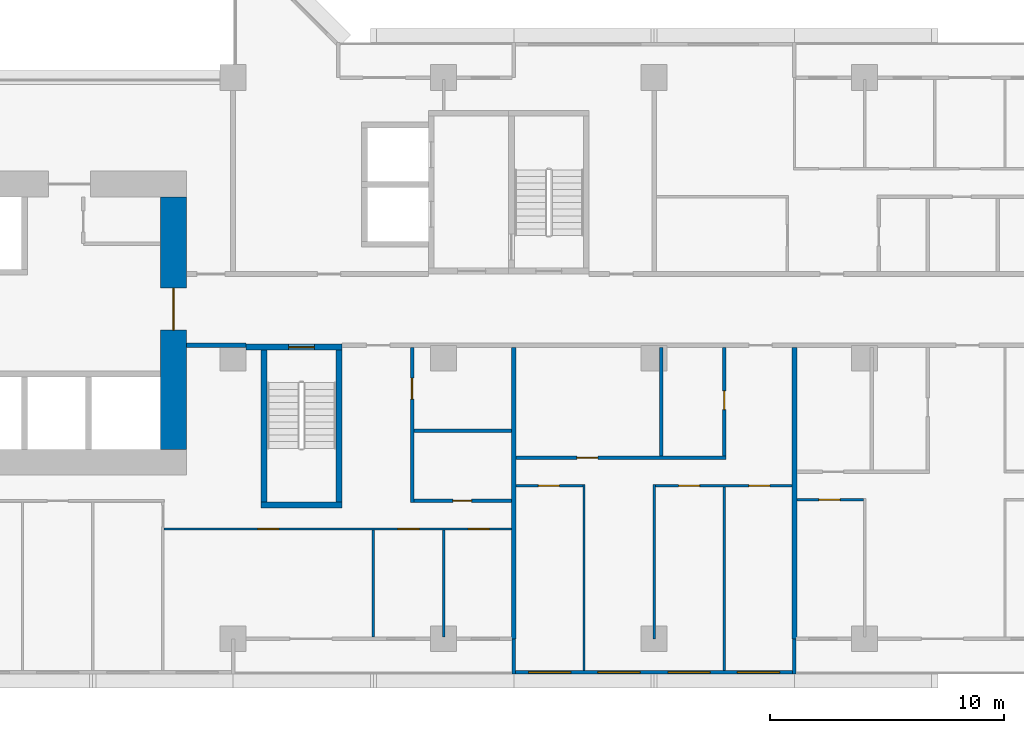
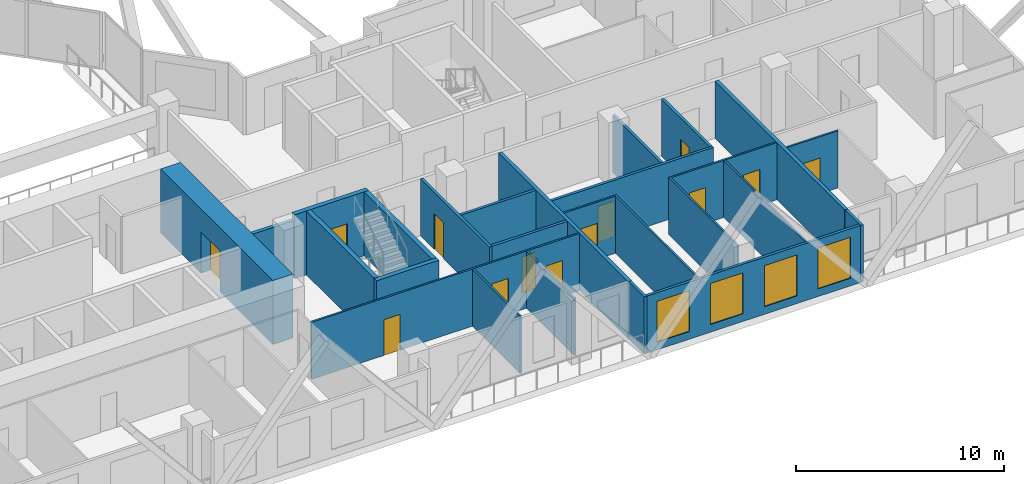
# One storey, part 6 of 15: 26 walls, 13 doors, 4 windows, 17 openings.
"""IFC4 building model written with IfcOpenShell, lengths in metres."""

from ifc_helpers import new_model, si_unit, direction, frame, frame_2d, origin, place, context, subcontext, project, spatial, rectangle, extrude, material, layer, layer_set, type_object, element, fill, save


model = new_model("IFC4")

# Units and contexts
model_context = context("Model", 3, precision=1e-05, world=origin(), true_north=direction((0.0, 1.0)))
body_context = subcontext(model_context, "Body", "Model", "MODEL_VIEW")
ifc_project = project(units=[si_unit("LENGTHUNIT", "METRE"), si_unit("AREAUNIT", "SQUARE_METRE"), si_unit("VOLUMEUNIT", "CUBIC_METRE"), si_unit("PLANEANGLEUNIT", "RADIAN"), si_unit("MASSUNIT", "GRAM", prefix="KILO")], contexts=[model_context])

# Site, building, storey
site_placement = place(None, origin())
site = spatial("IfcSite", under=ifc_project, at=site_placement, CompositionType="ELEMENT")
building_placement = place(site_placement, origin())
building = spatial("IfcBuilding", under=site, at=building_placement, Name="Chenar Terraces", CompositionType="ELEMENT")
storey_placement = place(building_placement, frame((0.0, 0.0, 41.39990234375)))
storey = spatial("IfcBuildingStorey", under=building, at=storey_placement, Name="L07", CompositionType="ELEMENT", Elevation=41.39990234375)

# Wall, opening, door
ifc_material_1 = material(Name="Concrete C70/85", Category="concrete")
ifc_layer_1 = layer(ifc_material_1, 1.10009765625)
ifc_layer_set_1 = layer_set([ifc_layer_1], Name="Concrete C70/85")
wall_type_1 = type_object("IfcWallType", Name="Core wall 1100 Concrete C70/85", PredefinedType="SHEAR", material=ifc_layer_set_1)
wall_1_placement = place(storey_placement, frame((33.449951171875, 8.10009765625, 0.0), z_axis=(0.0, 0.0, 1.0), x_axis=(0.0, 1.0, 0.0)))
wall_1 = element("IfcWall", 1, at=wall_1_placement, inside=storey, type_object=wall_type_1, Name="Core wall E L07", PredefinedType="SHEAR", context=body_context, shape_type="SweptSolid", body=[
    extrude(rectangle(XDim=10.7998046875, YDim=1.10009765625, at=frame_2d((5.39990234375, 0.0))), origin(), (0.0, 0.0, 1.0), 3.75),
])
opening_1_placement = place(wall_1_placement, frame((5.10009765625, 0.0, 0.0)))
opening_1 = element("IfcOpeningElement", 2, at=opening_1_placement, cuts=wall_1, Name="Opening DL07-C1", PredefinedType="OPENING", context=body_context, shape_type="SweptSolid", body=[
    extrude(rectangle(XDim=1.800048828125, YDim=2.39990234375, at=frame_2d((0.89990234375, 1.199951171875))), frame((0.0, 0.56005859375, 0.0), z_axis=(0.0, -1.0, 0.0), x_axis=(1.0, 0.0, 0.0)), (0.0, 0.0, 1.0), 1.1201171875),
])
ifc_material_2 = material(Name="Steel-framed fire-resisting door leaf", Category="steel")
door_type_1 = type_object("IfcDoorType", Name="Core entrance double fire door FD60 1800 x 2400", OperationType="DOUBLE_DOOR_SINGLE_SWING", PredefinedType="DOOR", material=ifc_material_2)
door_1_placement = place(opening_1_placement, origin())
door_1 = element("IfcDoor", 3, at=door_1_placement, inside=storey, type_object=door_type_1, Name="Core door DL07-C1", OperationType="DOUBLE_DOOR_SINGLE_SWING", OverallHeight=2.39990234375, OverallWidth=1.800048828125, PredefinedType="DOOR", context=body_context, shape_type="SweptSolid", body=[
    extrude(rectangle(XDim=1.800048828125, YDim=2.39990234375, at=frame_2d((0.89990234375, 1.199951171875))), frame((0.0, 0.02490234375, 0.0), z_axis=(0.0, -1.0, 0.0), x_axis=(1.0, 0.0, 0.0)), (0.0, 0.0, 1.0), 0.050048828125),
])
fill(opening_1, door_1)

# Wall
ifc_material_3 = material(Name="Concrete C70/85", Category="concrete")
ifc_layer_2 = layer(ifc_material_3, 0.25)
ifc_layer_set_2 = layer_set([ifc_layer_2], Name="Concrete C70/85")
wall_type_2 = type_object("IfcWallType", Name="Core wall 250 Concrete C70/85", PredefinedType="SHEAR", material=ifc_layer_set_2)
wall_2_placement = place(storey_placement, frame((37.199951171875, 5.72509765625, 0.0), z_axis=(0.0, 0.0, 1.0), x_axis=(1.0, 0.0, 0.0)))
element("IfcWall", 4, at=wall_2_placement, inside=storey, type_object=wall_type_2, Name="Core wall ST2_S L07", PredefinedType="SHEAR", context=body_context, shape_type="SweptSolid", body=[
    extrude(rectangle(XDim=3.449951171875, YDim=0.25, at=frame_2d((1.72509765625, 0.0))), origin(), (0.0, 0.0, 1.0), 3.75),
])

# Wall, opening, door
wall_3_placement = place(storey_placement, frame((36.550048828125, 12.47509765625, 0.0), z_axis=(0.0, 0.0, 1.0), x_axis=(1.0, 0.0, 0.0)))
wall_3 = element("IfcWall", 5, at=wall_3_placement, inside=storey, type_object=wall_type_2, Name="Core wall ST2_N L07", PredefinedType="SHEAR", context=body_context, shape_type="SweptSolid", body=[
    extrude(rectangle(XDim=4.099853515625, YDim=0.25, at=frame_2d((2.0498046875, 0.0))), origin(), (0.0, 0.0, 1.0), 3.75),
])
opening_2_placement = place(wall_3_placement, frame((1.824951171875, 0.0, 0.0)))
opening_2 = element("IfcOpeningElement", 6, at=opening_2_placement, cuts=wall_3, Name="Opening DL07-C7", PredefinedType="OPENING", context=body_context, shape_type="SweptSolid", body=[
    extrude(rectangle(XDim=1.10009765625, YDim=2.199951171875, at=frame_2d((0.550048828125, 1.10009765625))), frame((0.0, 0.135009765625, 0.0), z_axis=(0.0, -1.0, 0.0), x_axis=(1.0, 0.0, 0.0)), (0.0, 0.0, 1.0), 0.27001953125),
])
ifc_material_4 = material(Name="Steel-framed fire-resisting door leaf", Category="steel")
door_type_2 = type_object("IfcDoorType", Name="Stair fire door FD60 1100 x 2200", OperationType="SINGLE_SWING_LEFT", PredefinedType="DOOR", material=ifc_material_4)
door_2_placement = place(opening_2_placement, frame((1.10009765625, 0.0, 0.0), z_axis=(0.0, 0.0, 1.0), x_axis=(-1.0, 0.0, 0.0)))
door_2 = element("IfcDoor", 7, at=door_2_placement, inside=storey, type_object=door_type_2, Name="Stair door DL07-C7", OperationType="SINGLE_SWING_LEFT", OverallHeight=2.199951171875, OverallWidth=1.10009765625, PredefinedType="DOOR", context=body_context, shape_type="SweptSolid", body=[
    extrude(rectangle(XDim=1.10009765625, YDim=2.199951171875, at=frame_2d((0.550048828125, 1.10009765625))), frame((0.0, 0.02490234375, 0.0), z_axis=(0.0, -1.0, 0.0), x_axis=(1.0, 0.0, 0.0)), (0.0, 0.0, 1.0), 0.050048828125),
])
fill(opening_2, door_2)

# Walls
for number, where, z_axis, x_axis, name in (
    (8, (37.324951171875, 5.85009765625, 0.0), (0.0, 0.0, 1.0), (0.0, 1.0, 0.0), "Core wall ST2_W L07"),
    (9, (40.52490234375, 5.85009765625, 0.0), (0.0, 0.0, 1.0), (0.0, 1.0, 0.0), "Core wall ST2_E L07"),
):
    element("IfcWall", number, at=place(storey_placement, frame(where, z_axis=z_axis, x_axis=x_axis)), inside=storey, type_object=wall_type_2, Name=name, PredefinedType="SHEAR", context=body_context, shape_type="SweptSolid", body=[
        extrude(rectangle(XDim=6.5, YDim=0.25, at=frame_2d((3.25, 0.0))), origin(), (0.0, 0.0, 1.0), 3.75),
    ])
ifc_material_5 = material(Name="Gypsum board on steel studs with fire boards", Category="steel")
ifc_layer_3 = layer(ifc_material_5, 0.199951171875)
ifc_layer_set_3 = layer_set([ifc_layer_3], Name="Gypsum board on steel studs with fire boards")
wall_type_3 = type_object("IfcWallType", Name="Corridor wall 200", PredefinedType="PARTITIONING", material=ifc_layer_set_3)
wall_4_placement = place(storey_placement, frame((34.0, 12.550048828125, 0.0), z_axis=(0.0, 0.0, 1.0), x_axis=(1.0, 0.0, 0.0)))
element("IfcWall", 10, at=wall_4_placement, inside=storey, type_object=wall_type_3, Name="Partition L07-061", PredefinedType="PARTITIONING", context=body_context, shape_type="SweptSolid", body=[
    extrude(rectangle(XDim=2.551025390625, YDim=0.199951171875, at=frame_2d((1.275390625, 0.0))), origin(), (0.0, 0.0, 1.0), 3.35009765625),
])

# Wall, openings, windows
ifc_material_6 = material(Name="Aluminium framed glazing", Category="aluminium")
ifc_layer_4 = layer(ifc_material_6, 0.14990234375)
ifc_layer_set_4 = layer_set([ifc_layer_4], Name="Aluminium framed glazing")
wall_type_4 = type_object("IfcWallType", Name="Glazed flush facade wall 150", PredefinedType="SOLIDWALL", material=ifc_layer_set_4)
wall_5_placement = place(storey_placement, frame((48.074951171875, -1.425048828125, 0.0), z_axis=(0.0, 0.0, 1.0), x_axis=(1.0, 0.0, 0.0)))
wall_5 = element("IfcWall", 11, at=wall_5_placement, inside=storey, type_object=wall_type_4, Name="Glazed flush facade wall", PredefinedType="SOLIDWALL", context=body_context, shape_type="SweptSolid", body=[
    extrude(rectangle(XDim=11.85009765625, YDim=0.14990234375, at=frame_2d((5.925048828125, 0.0))), origin(), (0.0, 0.0, 1.0), 3.35009765625),
])
opening_3_placement = place(wall_5_placement, frame((0.5625, 0.0, 0.449951171875)))
opening_3 = element("IfcOpeningElement", 12, at=opening_3_placement, cuts=wall_5, Name="Opening W180x240", PredefinedType="OPENING", context=body_context, shape_type="SweptSolid", body=[
    extrude(rectangle(XDim=1.800048828125, YDim=2.39990234375, at=frame_2d((0.89990234375, 1.199951171875))), frame((0.0, 0.0849609375, 0.0), z_axis=(0.0, -1.0, 0.0), x_axis=(1.0, 0.0, 0.0)), (0.0, 0.0, 1.0), 0.169921875),
])
opening_4_placement = place(wall_5_placement, frame((3.52490234375, 0.0, 0.449951171875)))
opening_4 = element("IfcOpeningElement", 13, at=opening_4_placement, cuts=wall_5, Name="Opening W180x240", PredefinedType="OPENING", context=body_context, shape_type="SweptSolid", body=[
    extrude(rectangle(XDim=1.800048828125, YDim=2.39990234375, at=frame_2d((0.89990234375, 1.199951171875))), frame((0.0, 0.0849609375, 0.0), z_axis=(0.0, -1.0, 0.0), x_axis=(1.0, 0.0, 0.0)), (0.0, 0.0, 1.0), 0.169921875),
])
opening_5_placement = place(wall_5_placement, frame((6.52490234375, 0.0, 0.449951171875)))
opening_5 = element("IfcOpeningElement", 14, at=opening_5_placement, cuts=wall_5, Name="Opening W180x240", PredefinedType="OPENING", context=body_context, shape_type="SweptSolid", body=[
    extrude(rectangle(XDim=1.800048828125, YDim=2.39990234375, at=frame_2d((0.89990234375, 1.199951171875))), frame((0.0, 0.0849609375, 0.0), z_axis=(0.0, -1.0, 0.0), x_axis=(1.0, 0.0, 0.0)), (0.0, 0.0, 1.0), 0.169921875),
])
opening_6_placement = place(wall_5_placement, frame((9.487548828125, 0.0, 0.449951171875)))
opening_6 = element("IfcOpeningElement", 15, at=opening_6_placement, cuts=wall_5, Name="Opening W180x240", PredefinedType="OPENING", context=body_context, shape_type="SweptSolid", body=[
    extrude(rectangle(XDim=1.800048828125, YDim=2.39990234375, at=frame_2d((0.89990234375, 1.199951171875))), frame((0.0, 0.0849609375, 0.0), z_axis=(0.0, -1.0, 0.0), x_axis=(1.0, 0.0, 0.0)), (0.0, 0.0, 1.0), 0.169921875),
])
ifc_material_7 = material(Name="Low emissivity double glazing, aluminium frame", Category="aluminium")
window_type = type_object("IfcWindowType", Name="Fixed light 1800 x 2400", PartitioningType="SINGLE_PANEL", PredefinedType="WINDOW", material=ifc_material_7)
window_1_placement = place(opening_3_placement, origin())
window_1 = element("IfcWindow", 16, at=window_1_placement, inside=storey, type_object=window_type, Name="Window", OverallHeight=2.39990234375, OverallWidth=1.800048828125, PartitioningType="SINGLE_PANEL", PredefinedType="WINDOW", context=body_context, shape_type="SweptSolid", body=[
    extrude(rectangle(XDim=1.800048828125, YDim=2.39990234375, at=frame_2d((0.89990234375, 1.199951171875))), frame((0.0, 0.030029296875, 0.0), z_axis=(0.0, -1.0, 0.0), x_axis=(1.0, 0.0, 0.0)), (0.0, 0.0, 1.0), 0.06005859375),
])
fill(opening_3, window_1)
window_2_placement = place(opening_4_placement, origin())
window_2 = element("IfcWindow", 17, at=window_2_placement, inside=storey, type_object=window_type, Name="Window", OverallHeight=2.39990234375, OverallWidth=1.800048828125, PartitioningType="SINGLE_PANEL", PredefinedType="WINDOW", context=body_context, shape_type="SweptSolid", body=[
    extrude(rectangle(XDim=1.800048828125, YDim=2.39990234375, at=frame_2d((0.89990234375, 1.199951171875))), frame((0.0, 0.030029296875, 0.0), z_axis=(0.0, -1.0, 0.0), x_axis=(1.0, 0.0, 0.0)), (0.0, 0.0, 1.0), 0.06005859375),
])
fill(opening_4, window_2)
window_3_placement = place(opening_5_placement, origin())
window_3 = element("IfcWindow", 18, at=window_3_placement, inside=storey, type_object=window_type, Name="Window", OverallHeight=2.39990234375, OverallWidth=1.800048828125, PartitioningType="SINGLE_PANEL", PredefinedType="WINDOW", context=body_context, shape_type="SweptSolid", body=[
    extrude(rectangle(XDim=1.800048828125, YDim=2.39990234375, at=frame_2d((0.89990234375, 1.199951171875))), frame((0.0, 0.030029296875, 0.0), z_axis=(0.0, -1.0, 0.0), x_axis=(1.0, 0.0, 0.0)), (0.0, 0.0, 1.0), 0.06005859375),
])
fill(opening_5, window_3)
window_4_placement = place(opening_6_placement, origin())
window_4 = element("IfcWindow", 19, at=window_4_placement, inside=storey, type_object=window_type, Name="Window", OverallHeight=2.39990234375, OverallWidth=1.800048828125, PartitioningType="SINGLE_PANEL", PredefinedType="WINDOW", context=body_context, shape_type="SweptSolid", body=[
    extrude(rectangle(XDim=1.800048828125, YDim=2.39990234375, at=frame_2d((0.89990234375, 1.199951171875))), frame((0.0, 0.030029296875, 0.0), z_axis=(0.0, -1.0, 0.0), x_axis=(1.0, 0.0, 0.0)), (0.0, 0.0, 1.0), 0.06005859375),
])
fill(opening_6, window_4)

# Wall, openings, doors
ifc_material_8 = material(Name="Gypsum board on steel studs", Category="steel")
ifc_layer_5 = layer(ifc_material_8, 0.10009765625)
ifc_layer_set_5 = layer_set([ifc_layer_5], Name="Gypsum board on steel studs")
wall_type_5 = type_object("IfcWallType", Name="Gypsum partition 100", PredefinedType="PARTITIONING", material=ifc_layer_set_5)
wall_6_placement = place(storey_placement, frame((33.050048828125, 4.699951171875, 0.0), z_axis=(0.0, 0.0, 1.0), x_axis=(1.0, 0.0, 0.0)))
wall_6 = element("IfcWall", 20, at=wall_6_placement, inside=storey, type_object=wall_type_5, Name="Partition L07-060", PredefinedType="PARTITIONING", context=body_context, shape_type="SweptSolid", body=[
    extrude(rectangle(XDim=14.849853515625, YDim=0.10009765625, at=frame_2d((7.4248046875, 0.0))), origin(), (0.0, 0.0, 1.0), 3.35009765625),
])
opening_7_placement = place(wall_6_placement, frame((10.0, 0.0, 0.0)))
opening_7 = element("IfcOpeningElement", 21, at=opening_7_placement, cuts=wall_6, Name="Opening DL07-57", PredefinedType="OPENING", context=body_context, shape_type="SweptSolid", body=[
    extrude(rectangle(XDim=0.89990234375, YDim=2.10009765625, at=frame_2d((0.449951171875, 1.050048828125))), frame((0.0, 0.06005859375, 0.0), z_axis=(0.0, -1.0, 0.0), x_axis=(1.0, 0.0, 0.0)), (0.0, 0.0, 1.0), 0.1201171875),
])
opening_8_placement = place(wall_6_placement, frame((13.0, 0.0, 0.0)))
opening_8 = element("IfcOpeningElement", 22, at=opening_8_placement, cuts=wall_6, Name="Opening DL07-58", PredefinedType="OPENING", context=body_context, shape_type="SweptSolid", body=[
    extrude(rectangle(XDim=0.89990234375, YDim=2.10009765625, at=frame_2d((0.449951171875, 1.050048828125))), frame((0.0, 0.06005859375, 0.0), z_axis=(0.0, -1.0, 0.0), x_axis=(1.0, 0.0, 0.0)), (0.0, 0.0, 1.0), 0.1201171875),
])
opening_9_placement = place(wall_6_placement, frame((4.0, 0.0, 0.0)))
opening_9 = element("IfcOpeningElement", 23, at=opening_9_placement, cuts=wall_6, Name="Opening DL07-64", PredefinedType="OPENING", context=body_context, shape_type="SweptSolid", body=[
    extrude(rectangle(XDim=0.89990234375, YDim=2.10009765625, at=frame_2d((0.449951171875, 1.050048828125))), frame((0.0, 0.06005859375, 0.0), z_axis=(0.0, -1.0, 0.0), x_axis=(1.0, 0.0, 0.0)), (0.0, 0.0, 1.0), 0.1201171875),
])
ifc_material_9 = material(Name="Veneered timber door leaf", Category="wood")
door_type_3 = type_object("IfcDoorType", Name="Door 900 x 2100", OperationType="SINGLE_SWING_LEFT", PredefinedType="DOOR", material=ifc_material_9)
door_3_placement = place(opening_7_placement, frame((0.89990234375, 0.0, 0.0), z_axis=(0.0, 0.0, 1.0), x_axis=(-1.0, 0.0, 0.0)))
door_3 = element("IfcDoor", 24, at=door_3_placement, inside=storey, type_object=door_type_3, Name="Door DL07-57", OperationType="SINGLE_SWING_LEFT", OverallHeight=2.10009765625, OverallWidth=0.89990234375, PredefinedType="DOOR", context=body_context, shape_type="SweptSolid", body=[
    extrude(rectangle(XDim=0.89990234375, YDim=2.10009765625, at=frame_2d((0.449951171875, 1.050048828125))), frame((0.0, 0.02490234375, 0.0), z_axis=(0.0, -1.0, 0.0), x_axis=(1.0, 0.0, 0.0)), (0.0, 0.0, 1.0), 0.050048828125),
])
fill(opening_7, door_3)
door_4_placement = place(opening_8_placement, frame((0.89990234375, 0.0, 0.0), z_axis=(0.0, 0.0, 1.0), x_axis=(-1.0, 0.0, 0.0)))
door_4 = element("IfcDoor", 25, at=door_4_placement, inside=storey, type_object=door_type_3, Name="Door DL07-58", OperationType="SINGLE_SWING_LEFT", OverallHeight=2.10009765625, OverallWidth=0.89990234375, PredefinedType="DOOR", context=body_context, shape_type="SweptSolid", body=[
    extrude(rectangle(XDim=0.89990234375, YDim=2.10009765625, at=frame_2d((0.449951171875, 1.050048828125))), frame((0.0, 0.02490234375, 0.0), z_axis=(0.0, -1.0, 0.0), x_axis=(1.0, 0.0, 0.0)), (0.0, 0.0, 1.0), 0.050048828125),
])
fill(opening_8, door_4)
door_5_placement = place(opening_9_placement, frame((0.89990234375, 0.0, 0.0), z_axis=(0.0, 0.0, 1.0), x_axis=(-1.0, 0.0, 0.0)))
door_5 = element("IfcDoor", 26, at=door_5_placement, inside=storey, type_object=door_type_3, Name="Door DL07-64", OperationType="SINGLE_SWING_LEFT", OverallHeight=2.10009765625, OverallWidth=0.89990234375, PredefinedType="DOOR", context=body_context, shape_type="SweptSolid", body=[
    extrude(rectangle(XDim=0.89990234375, YDim=2.10009765625, at=frame_2d((0.449951171875, 1.050048828125))), frame((0.0, 0.02490234375, 0.0), z_axis=(0.0, -1.0, 0.0), x_axis=(1.0, 0.0, 0.0)), (0.0, 0.0, 1.0), 0.050048828125),
])
fill(opening_9, door_5)

# Walls
for number, where, z_axis, x_axis, name in (
    (27, (42.0, 0.073974609375, 0.0), (0.0, 0.0, 1.0), (0.0, 1.0, 0.0), "Partition L07-065"),
    (28, (45.0, 0.073974609375, 0.0), (0.0, 0.0, 1.0), (0.0, 1.0, 0.0), "Partition L07-069"),
):
    element("IfcWall", number, at=place(storey_placement, frame(where, z_axis=z_axis, x_axis=x_axis)), inside=storey, type_object=wall_type_5, Name=name, PredefinedType="PARTITIONING", context=body_context, shape_type="SweptSolid", body=[
        extrude(rectangle(XDim=4.575927734375, YDim=0.10009765625, at=frame_2d((2.2880859375, 0.0))), origin(), (0.0, 0.0, 1.0), 3.35009765625),
    ])

# Wall, opening, door
wall_7_placement = place(storey_placement, frame((48.10009765625, 6.550048828125, 0.0), z_axis=(0.0, 0.0, 1.0), x_axis=(1.0, 0.0, 0.0)))
wall_7 = element("IfcWall", 29, at=wall_7_placement, inside=storey, type_object=wall_type_5, Name="Partition L07-072", PredefinedType="PARTITIONING", context=body_context, shape_type="SweptSolid", body=[
    extrude(rectangle(XDim=2.849853515625, YDim=0.10009765625, at=frame_2d((1.4248046875, 0.0))), origin(), (0.0, 0.0, 1.0), 3.35009765625),
])
opening_10_placement = place(wall_7_placement, frame((0.949951171875, 0.0, 0.0)))
opening_10 = element("IfcOpeningElement", 30, at=opening_10_placement, cuts=wall_7, Name="Opening DL07-14", PredefinedType="OPENING", context=body_context, shape_type="SweptSolid", body=[
    extrude(rectangle(XDim=0.89990234375, YDim=2.10009765625, at=frame_2d((0.449951171875, 1.050048828125))), frame((0.0, 0.06005859375, 0.0), z_axis=(0.0, -1.0, 0.0), x_axis=(1.0, 0.0, 0.0)), (0.0, 0.0, 1.0), 0.1201171875),
])
door_6_placement = place(opening_10_placement, frame((0.89990234375, 0.0, 0.0), z_axis=(0.0, 0.0, 1.0), x_axis=(-1.0, 0.0, 0.0)))
door_6 = element("IfcDoor", 31, at=door_6_placement, inside=storey, type_object=door_type_3, Name="Door DL07-14", OperationType="SINGLE_SWING_LEFT", OverallHeight=2.10009765625, OverallWidth=0.89990234375, PredefinedType="DOOR", context=body_context, shape_type="SweptSolid", body=[
    extrude(rectangle(XDim=0.89990234375, YDim=2.10009765625, at=frame_2d((0.449951171875, 1.050048828125))), frame((0.0, 0.02490234375, 0.0), z_axis=(0.0, -1.0, 0.0), x_axis=(1.0, 0.0, 0.0)), (0.0, 0.0, 1.0), 0.050048828125),
])
fill(opening_10, door_6)

# Walls
wall_8_placement = place(storey_placement, frame((51.0, -1.35009765625, 0.0), z_axis=(0.0, 0.0, 1.0), x_axis=(0.0, 1.0, 0.0)))
element("IfcWall", 32, at=wall_8_placement, inside=storey, type_object=wall_type_5, Name="Partition L07-074", PredefinedType="PARTITIONING", context=body_context, shape_type="SweptSolid", body=[
    extrude(rectangle(XDim=7.9501953125, YDim=0.10009765625, at=frame_2d((3.97509765625, 0.0))), origin(), (0.0, 0.0, 1.0), 3.35009765625),
])
wall_9_placement = place(storey_placement, frame((54.0, 0.0, 0.0), z_axis=(0.0, 0.0, 1.0), x_axis=(0.0, 1.0, 0.0)))
element("IfcWall", 33, at=wall_9_placement, inside=storey, type_object=wall_type_5, Name="Partition L07-076", PredefinedType="PARTITIONING", context=body_context, shape_type="SweptSolid", body=[
    extrude(rectangle(XDim=6.60009765625, YDim=0.10009765625, at=frame_2d((3.300048828125, 0.0))), origin(), (0.0, 0.0, 1.0), 3.35009765625),
])

# Wall, openings, doors
wall_10_placement = place(storey_placement, frame((54.050048828125, 6.550048828125, 0.0), z_axis=(0.0, 0.0, 1.0), x_axis=(1.0, 0.0, 0.0)))
wall_10 = element("IfcWall", 34, at=wall_10_placement, inside=storey, type_object=wall_type_5, Name="Partition L07-078", PredefinedType="PARTITIONING", context=body_context, shape_type="SweptSolid", body=[
    extrude(rectangle(XDim=5.849853515625, YDim=0.10009765625, at=frame_2d((2.9248046875, 0.0))), origin(), (0.0, 0.0, 1.0), 3.35009765625),
])
opening_11_placement = place(wall_10_placement, frame((1.0, 0.0, 0.0)))
opening_11 = element("IfcOpeningElement", 35, at=opening_11_placement, cuts=wall_10, Name="Opening DL07-15", PredefinedType="OPENING", context=body_context, shape_type="SweptSolid", body=[
    extrude(rectangle(XDim=0.89990234375, YDim=2.10009765625, at=frame_2d((0.449951171875, 1.050048828125))), frame((0.0, 0.06005859375, 0.0), z_axis=(0.0, -1.0, 0.0), x_axis=(1.0, 0.0, 0.0)), (0.0, 0.0, 1.0), 0.1201171875),
])
opening_12_placement = place(wall_10_placement, frame((4.0, 0.0, 0.0)))
opening_12 = element("IfcOpeningElement", 36, at=opening_12_placement, cuts=wall_10, Name="Opening DL07-16", PredefinedType="OPENING", context=body_context, shape_type="SweptSolid", body=[
    extrude(rectangle(XDim=0.89990234375, YDim=2.10009765625, at=frame_2d((0.449951171875, 1.050048828125))), frame((0.0, 0.06005859375, 0.0), z_axis=(0.0, -1.0, 0.0), x_axis=(1.0, 0.0, 0.0)), (0.0, 0.0, 1.0), 0.1201171875),
])
door_7_placement = place(opening_11_placement, frame((0.89990234375, 0.0, 0.0), z_axis=(0.0, 0.0, 1.0), x_axis=(-1.0, 0.0, 0.0)))
door_7 = element("IfcDoor", 37, at=door_7_placement, inside=storey, type_object=door_type_3, Name="Door DL07-15", OperationType="SINGLE_SWING_LEFT", OverallHeight=2.10009765625, OverallWidth=0.89990234375, PredefinedType="DOOR", context=body_context, shape_type="SweptSolid", body=[
    extrude(rectangle(XDim=0.89990234375, YDim=2.10009765625, at=frame_2d((0.449951171875, 1.050048828125))), frame((0.0, 0.02490234375, 0.0), z_axis=(0.0, -1.0, 0.0), x_axis=(1.0, 0.0, 0.0)), (0.0, 0.0, 1.0), 0.050048828125),
])
fill(opening_11, door_7)
door_8_placement = place(opening_12_placement, frame((0.89990234375, 0.0, 0.0), z_axis=(0.0, 0.0, 1.0), x_axis=(-1.0, 0.0, 0.0)))
door_8 = element("IfcDoor", 38, at=door_8_placement, inside=storey, type_object=door_type_3, Name="Door DL07-16", OperationType="SINGLE_SWING_LEFT", OverallHeight=2.10009765625, OverallWidth=0.89990234375, PredefinedType="DOOR", context=body_context, shape_type="SweptSolid", body=[
    extrude(rectangle(XDim=0.89990234375, YDim=2.10009765625, at=frame_2d((0.449951171875, 1.050048828125))), frame((0.0, 0.02490234375, 0.0), z_axis=(0.0, -1.0, 0.0), x_axis=(1.0, 0.0, 0.0)), (0.0, 0.0, 1.0), 0.050048828125),
])
fill(opening_12, door_8)

# Wall
wall_11_placement = place(storey_placement, frame((57.0, -1.35107421875, 0.0), z_axis=(0.0, 0.0, 1.0), x_axis=(0.0, 1.0, 0.0)))
element("IfcWall", 39, at=wall_11_placement, inside=storey, type_object=wall_type_5, Name="Partition L07-081", PredefinedType="PARTITIONING", context=body_context, shape_type="SweptSolid", body=[
    extrude(rectangle(XDim=7.85107421875, YDim=0.10009765625, at=frame_2d((3.925537109375, 0.0))), origin(), (0.0, 0.0, 1.0), 3.35009765625),
])

# Wall, opening, door
wall_12_placement = place(storey_placement, frame((60.10009765625, 5.949951171875, 0.0), z_axis=(0.0, 0.0, 1.0), x_axis=(1.0, 0.0, 0.0)))
wall_12 = element("IfcWall", 40, at=wall_12_placement, inside=storey, type_object=wall_type_5, Name="Partition L07-087", PredefinedType="PARTITIONING", context=body_context, shape_type="SweptSolid", body=[
    extrude(rectangle(XDim=2.849853515625, YDim=0.10009765625, at=frame_2d((1.4248046875, 0.0))), origin(), (0.0, 0.0, 1.0), 3.35009765625),
])
opening_13_placement = place(wall_12_placement, frame((0.949951171875, 0.0, 0.0)))
opening_13 = element("IfcOpeningElement", 41, at=opening_13_placement, cuts=wall_12, Name="Opening DL07-20", PredefinedType="OPENING", context=body_context, shape_type="SweptSolid", body=[
    extrude(rectangle(XDim=0.89990234375, YDim=2.10009765625, at=frame_2d((0.449951171875, 1.050048828125))), frame((0.0, 0.06005859375, 0.0), z_axis=(0.0, -1.0, 0.0), x_axis=(1.0, 0.0, 0.0)), (0.0, 0.0, 1.0), 0.1201171875),
])
door_9_placement = place(opening_13_placement, frame((0.89990234375, 0.0, 0.0), z_axis=(0.0, 0.0, 1.0), x_axis=(-1.0, 0.0, 0.0)))
door_9 = element("IfcDoor", 42, at=door_9_placement, inside=storey, type_object=door_type_3, Name="Door DL07-20", OperationType="SINGLE_SWING_LEFT", OverallHeight=2.10009765625, OverallWidth=0.89990234375, PredefinedType="DOOR", context=body_context, shape_type="SweptSolid", body=[
    extrude(rectangle(XDim=0.89990234375, YDim=2.10009765625, at=frame_2d((0.449951171875, 1.050048828125))), frame((0.0, 0.02490234375, 0.0), z_axis=(0.0, -1.0, 0.0), x_axis=(1.0, 0.0, 0.0)), (0.0, 0.0, 1.0), 0.050048828125),
])
fill(opening_13, door_9)

# Walls
ifc_material_10 = material(Name="Terracotta cladding on insulated backing", Category="masonry")
ifc_layer_6 = layer(ifc_material_10, 0.14990234375)
ifc_layer_set_6 = layer_set([ifc_layer_6], Name="Terracotta cladding on insulated backing")
wall_type_6 = type_object("IfcWallType", Name="Loggia return wall 150", PredefinedType="SOLIDWALL", material=ifc_layer_set_6)
for number, where, z_axis, x_axis, name in (
    (43, (48.0, -1.5, 0.0), (0.0, 0.0, 1.0), (0.0, 1.0, 0.0), "Loggia return wall"),
    (44, (60.0, -1.5, 0.0), (0.0, 0.0, 1.0), (0.0, 1.0, 0.0), "Loggia return wall"),
):
    element("IfcWall", number, at=place(storey_placement, frame(where, z_axis=z_axis, x_axis=x_axis)), inside=storey, type_object=wall_type_6, Name=name, PredefinedType="SOLIDWALL", context=body_context, shape_type="SweptSolid", body=[
        extrude(rectangle(XDim=1.5, YDim=0.14990234375, at=frame_2d((0.75, 0.0))), origin(), (0.0, 0.0, 1.0), 3.35009765625),
    ])
ifc_material_11 = material(Name="Twin gypsum board on steel studs with mineral wool", Category="steel")
ifc_layer_7 = layer(ifc_material_11, 0.199951171875)
ifc_layer_set_7 = layer_set([ifc_layer_7], Name="Twin gypsum board on steel studs with mineral wool")
wall_type_7 = type_object("IfcWallType", Name="Unit demising wall 200", PredefinedType="PARTITIONING", material=ifc_layer_set_7)
for number, where, z_axis, x_axis, name in (
    (45, (48.0, 0.0, 0.0), (0.0, 0.0, 1.0), (0.0, 1.0, 0.0), "Partition L07-071"),
    (46, (60.0, 0.0, 0.0), (0.0, 0.0, 1.0), (0.0, 1.0, 0.0), "Partition L07-085"),
):
    element("IfcWall", number, at=place(storey_placement, frame(where, z_axis=z_axis, x_axis=x_axis)), inside=storey, type_object=wall_type_7, Name=name, PredefinedType="PARTITIONING", context=body_context, shape_type="SweptSolid", body=[
        extrude(rectangle(XDim=12.449951171875, YDim=0.199951171875, at=frame_2d((6.22509765625, 0.0))), origin(), (0.0, 0.0, 1.0), 3.35009765625),
    ])

# Wall, opening, door
ifc_material_12 = material(Name="Moisture-resistant gypsum board on steel studs", Category="steel")
ifc_layer_8 = layer(ifc_material_12, 0.14990234375)
ifc_layer_set_8 = layer_set([ifc_layer_8], Name="Moisture-resistant gypsum board on steel studs")
wall_type_8 = type_object("IfcWallType", Name="Wet-room partition 150", PredefinedType="PARTITIONING", material=ifc_layer_set_8)
wall_13_placement = place(storey_placement, frame((43.64990234375, 5.824951171875, 0.0), z_axis=(0.0, 0.0, 1.0), x_axis=(0.0, 1.0, 0.0)))
wall_13 = element("IfcWall", 47, at=wall_13_placement, inside=storey, type_object=wall_type_8, Name="Partition L07-066", PredefinedType="PARTITIONING", context=body_context, shape_type="SweptSolid", body=[
    extrude(rectangle(XDim=6.625, YDim=0.14990234375, at=frame_2d((3.3125, 0.0))), origin(), (0.0, 0.0, 1.0), 3.35009765625),
])
opening_14_placement = place(wall_13_placement, frame((4.425048828125, 0.0, 0.0)))
opening_14 = element("IfcOpeningElement", 48, at=opening_14_placement, cuts=wall_13, Name="Opening DL07-62", PredefinedType="OPENING", context=body_context, shape_type="SweptSolid", body=[
    extrude(rectangle(XDim=0.89990234375, YDim=2.10009765625, at=frame_2d((0.449951171875, 1.050048828125))), frame((0.0, 0.0849609375, 0.0), z_axis=(0.0, -1.0, 0.0), x_axis=(1.0, 0.0, 0.0)), (0.0, 0.0, 1.0), 0.169921875),
])
door_10_placement = place(opening_14_placement, frame((0.89990234375, 0.0, 0.0), z_axis=(0.0, 0.0, 1.0), x_axis=(-1.0, 0.0, 0.0)))
door_10 = element("IfcDoor", 49, at=door_10_placement, inside=storey, type_object=door_type_3, Name="Door DL07-62", OperationType="SINGLE_SWING_LEFT", OverallHeight=2.10009765625, OverallWidth=0.89990234375, PredefinedType="DOOR", context=body_context, shape_type="SweptSolid", body=[
    extrude(rectangle(XDim=0.89990234375, YDim=2.10009765625, at=frame_2d((0.449951171875, 1.050048828125))), frame((0.0, 0.02490234375, 0.0), z_axis=(0.0, -1.0, 0.0), x_axis=(1.0, 0.0, 0.0)), (0.0, 0.0, 1.0), 0.050048828125),
])
fill(opening_14, door_10)

wall_14_placement = place(storey_placement, frame((43.72509765625, 5.89990234375, 0.0), z_axis=(0.0, 0.0, 1.0), x_axis=(1.0, 0.0, 0.0)))
wall_14 = element("IfcWall", 50, at=wall_14_placement, inside=storey, type_object=wall_type_8, Name="Partition L07-067", PredefinedType="PARTITIONING", context=body_context, shape_type="SweptSolid", body=[
    extrude(rectangle(XDim=4.1748046875, YDim=0.14990234375, at=frame_2d((2.08740234375, 0.0))), origin(), (0.0, 0.0, 1.0), 3.35009765625),
])
opening_15_placement = place(wall_14_placement, frame((1.675048828125, 0.0, 0.0)))
opening_15 = element("IfcOpeningElement", 51, at=opening_15_placement, cuts=wall_14, Name="Opening DL07-52", PredefinedType="OPENING", context=body_context, shape_type="SweptSolid", body=[
    extrude(rectangle(XDim=0.800048828125, YDim=2.10009765625, at=frame_2d((0.39990234375, 1.050048828125))), frame((0.0, 0.0849609375, 0.0), z_axis=(0.0, -1.0, 0.0), x_axis=(1.0, 0.0, 0.0)), (0.0, 0.0, 1.0), 0.169921875),
])
ifc_material_13 = material(Name="Veneered timber door leaf", Category="wood")
door_type_4 = type_object("IfcDoorType", Name="Door 800 x 2100", OperationType="SINGLE_SWING_LEFT", PredefinedType="DOOR", material=ifc_material_13)
door_11_placement = place(opening_15_placement, origin())
door_11 = element("IfcDoor", 52, at=door_11_placement, inside=storey, type_object=door_type_4, Name="Door DL07-52", OperationType="SINGLE_SWING_LEFT", OverallHeight=2.10009765625, OverallWidth=0.800048828125, PredefinedType="DOOR", context=body_context, shape_type="SweptSolid", body=[
    extrude(rectangle(XDim=0.800048828125, YDim=2.10009765625, at=frame_2d((0.39990234375, 1.050048828125))), frame((0.0, 0.02490234375, 0.0), z_axis=(0.0, -1.0, 0.0), x_axis=(1.0, 0.0, 0.0)), (0.0, 0.0, 1.0), 0.050048828125),
])
fill(opening_15, door_11)

# Wall
wall_15_placement = place(storey_placement, frame((43.72509765625, 8.89990234375, 0.0), z_axis=(0.0, 0.0, 1.0), x_axis=(1.0, 0.0, 0.0)))
element("IfcWall", 53, at=wall_15_placement, inside=storey, type_object=wall_type_8, Name="Partition L07-068", PredefinedType="PARTITIONING", context=body_context, shape_type="SweptSolid", body=[
    extrude(rectangle(XDim=4.1748046875, YDim=0.14990234375, at=frame_2d((2.08740234375, 0.0))), origin(), (0.0, 0.0, 1.0), 3.35009765625),
])

# Wall, opening, door
wall_16_placement = place(storey_placement, frame((48.10009765625, 7.75, 0.0), z_axis=(0.0, 0.0, 1.0), x_axis=(1.0, 0.0, 0.0)))
wall_16 = element("IfcWall", 54, at=wall_16_placement, inside=storey, type_object=wall_type_8, Name="Partition L07-073", PredefinedType="PARTITIONING", context=body_context, shape_type="SweptSolid", body=[
    extrude(rectangle(XDim=8.974853515625, YDim=0.14990234375, at=frame_2d((4.4873046875, 0.0))), origin(), (0.0, 0.0, 1.0), 3.35009765625),
])
opening_16_placement = place(wall_16_placement, frame((2.60009765625, 0.0, 0.0)))
opening_16 = element("IfcOpeningElement", 55, at=opening_16_placement, cuts=wall_16, Name="Opening DL07-17", PredefinedType="OPENING", context=body_context, shape_type="SweptSolid", body=[
    extrude(rectangle(XDim=0.89990234375, YDim=2.10009765625, at=frame_2d((0.449951171875, 1.050048828125))), frame((0.0, 0.0849609375, 0.0), z_axis=(0.0, -1.0, 0.0), x_axis=(1.0, 0.0, 0.0)), (0.0, 0.0, 1.0), 0.169921875),
])
door_12_placement = place(opening_16_placement, origin())
door_12 = element("IfcDoor", 56, at=door_12_placement, inside=storey, type_object=door_type_3, Name="Door DL07-17", OperationType="SINGLE_SWING_RIGHT", OverallHeight=2.10009765625, OverallWidth=0.89990234375, PredefinedType="DOOR", context=body_context, shape_type="SweptSolid", body=[
    extrude(rectangle(XDim=0.89990234375, YDim=2.10009765625, at=frame_2d((0.449951171875, 1.050048828125))), frame((0.0, 0.02490234375, 0.0), z_axis=(0.0, -1.0, 0.0), x_axis=(1.0, 0.0, 0.0)), (0.0, 0.0, 1.0), 0.050048828125),
])
fill(opening_16, door_12)

# Wall
wall_17_placement = place(storey_placement, frame((54.300048828125, 7.824951171875, 0.0), z_axis=(0.0, 0.0, 1.0), x_axis=(0.0, 1.0, 0.0)))
element("IfcWall", 57, at=wall_17_placement, inside=storey, type_object=wall_type_8, Name="Partition L07-080", PredefinedType="PARTITIONING", context=body_context, shape_type="SweptSolid", body=[
    extrude(rectangle(XDim=4.625, YDim=0.14990234375, at=frame_2d((2.3125, 0.0))), origin(), (0.0, 0.0, 1.0), 3.35009765625),
])

# Wall, opening, door
wall_18_placement = place(storey_placement, frame((57.0, 7.824951171875, 0.0), z_axis=(0.0, 0.0, 1.0), x_axis=(0.0, 1.0, 0.0)))
wall_18 = element("IfcWall", 58, at=wall_18_placement, inside=storey, type_object=wall_type_8, Name="Partition L07-082", PredefinedType="PARTITIONING", context=body_context, shape_type="SweptSolid", body=[
    extrude(rectangle(XDim=4.625, YDim=0.14990234375, at=frame_2d((2.3125, 0.0))), origin(), (0.0, 0.0, 1.0), 3.35009765625),
])
opening_17_placement = place(wall_18_placement, frame((1.97509765625, 0.0, 0.0)))
opening_17 = element("IfcOpeningElement", 59, at=opening_17_placement, cuts=wall_18, Name="Opening DL07-13", PredefinedType="OPENING", context=body_context, shape_type="SweptSolid", body=[
    extrude(rectangle(XDim=0.800048828125, YDim=2.10009765625, at=frame_2d((0.39990234375, 1.050048828125))), frame((0.0, 0.0849609375, 0.0), z_axis=(0.0, -1.0, 0.0), x_axis=(1.0, 0.0, 0.0)), (0.0, 0.0, 1.0), 0.169921875),
])
door_13_placement = place(opening_17_placement, origin())
door_13 = element("IfcDoor", 60, at=door_13_placement, inside=storey, type_object=door_type_4, Name="Door DL07-13", OperationType="SINGLE_SWING_RIGHT", OverallHeight=2.10009765625, OverallWidth=0.800048828125, PredefinedType="DOOR", context=body_context, shape_type="SweptSolid", body=[
    extrude(rectangle(XDim=0.800048828125, YDim=2.10009765625, at=frame_2d((0.39990234375, 1.050048828125))), frame((0.0, 0.02490234375, 0.0), z_axis=(0.0, -1.0, 0.0), x_axis=(1.0, 0.0, 0.0)), (0.0, 0.0, 1.0), 0.050048828125),
])
fill(opening_17, door_13)

save(model, "model.ifc")
